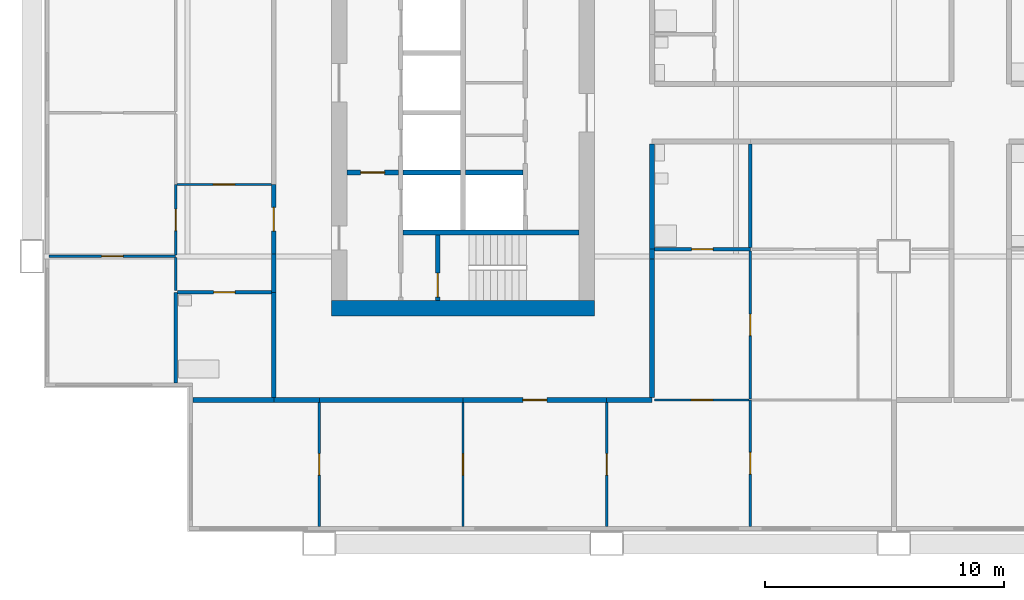
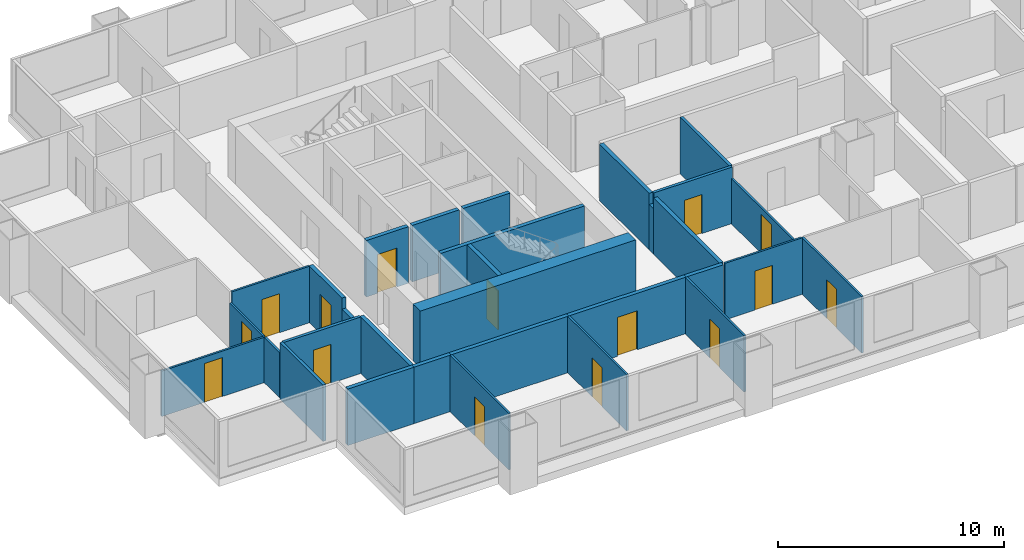
# One storey, part 2 of 11: 31 walls, 15 doors, 15 openings.
"""IFC4 building model written with IfcOpenShell, lengths in metres."""

from ifc_helpers import new_model, si_unit, direction, frame, frame_2d, origin, place, context, subcontext, project, spatial, rectangle, extrude, material, layer, layer_set, type_object, element, fill, save


model = new_model("IFC4")

# Units and contexts
model_context = context("Model", 3, precision=1e-05, world=origin(), true_north=direction((0.0, 1.0)))
body_context = subcontext(model_context, "Body", "Model", "MODEL_VIEW")
ifc_project = project(units=[si_unit("LENGTHUNIT", "METRE"), si_unit("AREAUNIT", "SQUARE_METRE"), si_unit("VOLUMEUNIT", "CUBIC_METRE"), si_unit("PLANEANGLEUNIT", "RADIAN"), si_unit("MASSUNIT", "GRAM", prefix="KILO")], contexts=[model_context])

# Site, building, storey
site_placement = place(None, origin())
site = spatial("IfcSite", under=ifc_project, at=site_placement, CompositionType="ELEMENT")
building_placement = place(site_placement, origin())
building = spatial("IfcBuilding", under=site, at=building_placement, Name="Kitamizu Gate Tower and Museum", CompositionType="ELEMENT")
storey_placement = place(building_placement, frame((0.0, 0.0, 127.64990234375)))
storey = spatial("IfcBuildingStorey", under=building, at=storey_placement, Name="L33", CompositionType="ELEMENT", Elevation=127.64990234375)

# Wall
ifc_material_1 = material(Name="Concrete Fc60", Category="concrete")
ifc_layer_1 = layer(ifc_material_1, 0.64990234375)
ifc_layer_set_1 = layer_set([ifc_layer_1], Name="Concrete Fc60")
wall_type_1 = type_object("IfcWallType", Name="Core wall 650", PredefinedType="SHEAR", material=ifc_layer_set_1)
wall_1_placement = place(storey_placement, frame((12.5, 21.824951171875, 0.0), z_axis=(0.0, 0.0, 1.0), x_axis=(1.0, 0.0, 0.0)))
element("IfcWall", 1, at=wall_1_placement, inside=storey, type_object=wall_type_1, Name="Core wall WS", PredefinedType="SHEAR", context=body_context, shape_type="SweptSolid", body=[
    extrude(rectangle(XDim=11.0, YDim=0.64990234375, at=frame_2d((5.5, 0.0))), origin(), (0.0, 0.0, 1.0), 3.050048828125),
])

# Wall, opening, door
ifc_material_2 = material(Name="Gypsum board on galvanised stud")
ifc_layer_2 = layer(ifc_material_2, 0.10009765625)
ifc_layer_set_2 = layer_set([ifc_layer_2], Name="Gypsum board on galvanised stud")
wall_type_2 = type_object("IfcWallType", Name="Partition 100 NOT RATED", PredefinedType="PARTITIONING", material=ifc_layer_set_2)
wall_2_placement = place(storey_placement, frame((12.0, 12.719970703125, 0.0), z_axis=(0.0, 0.0, 1.0), x_axis=(0.0, 1.0, 0.0)))
wall_2 = element("IfcWall", 2, at=wall_2_placement, inside=storey, type_object=wall_type_2, Name="Partition L33-001", PredefinedType="PARTITIONING", context=body_context, shape_type="SweptSolid", body=[
    extrude(rectangle(XDim=5.179931640625, YDim=0.10009765625, at=frame_2d((2.58984375, 0.0))), origin(), (0.0, 0.0, 1.0), 3.050048828125),
])
opening_1_placement = place(wall_2_placement, frame((2.139892578125, 0.0, 0.0)))
opening_1 = element("IfcOpeningElement", 3, at=opening_1_placement, cuts=wall_2, Name="Opening L33-007", PredefinedType="OPENING", context=body_context, shape_type="SweptSolid", body=[
    extrude(rectangle(XDim=0.89990234375, YDim=2.10009765625, at=frame_2d((0.449951171875, 1.050048828125))), frame((0.0, 0.06005859375, 0.0), z_axis=(0.0, -1.0, 0.0), x_axis=(1.0, 0.0, 0.0)), (0.0, 0.0, 1.0), 0.1201171875),
])
ifc_material_3 = material(Name="Timber door set", Category="wood")
door_type_1 = type_object("IfcDoorType", Name="Room door 900", OperationType="NOTDEFINED", PredefinedType="DOOR", material=ifc_material_3)
door_1_placement = place(opening_1_placement, origin())
door_1 = element("IfcDoor", 4, at=door_1_placement, inside=storey, type_object=door_type_1, Name="Door L33-007", OperationType="SINGLE_SWING_RIGHT", OverallHeight=2.10009765625, OverallWidth=0.89990234375, PredefinedType="DOOR", context=body_context, shape_type="SweptSolid", body=[
    extrude(rectangle(XDim=0.89990234375, YDim=2.10009765625, at=frame_2d((0.449951171875, 1.050048828125))), frame((0.0, 0.02490234375, 0.0), z_axis=(0.0, -1.0, 0.0), x_axis=(1.0, 0.0, 0.0)), (0.0, 0.0, 1.0), 0.050048828125),
])
fill(opening_1, door_1)

wall_3_placement = place(storey_placement, frame((18.0, 12.719970703125, 0.0), z_axis=(0.0, 0.0, 1.0), x_axis=(0.0, 1.0, 0.0)))
wall_3 = element("IfcWall", 5, at=wall_3_placement, inside=storey, type_object=wall_type_2, Name="Partition L33-004", PredefinedType="PARTITIONING", context=body_context, shape_type="SweptSolid", body=[
    extrude(rectangle(XDim=5.179931640625, YDim=0.10009765625, at=frame_2d((2.58984375, 0.0))), origin(), (0.0, 0.0, 1.0), 3.050048828125),
])
opening_2_placement = place(wall_3_placement, frame((2.139892578125, 0.0, 0.0)))
opening_2 = element("IfcOpeningElement", 6, at=opening_2_placement, cuts=wall_3, Name="Opening L33-003", PredefinedType="OPENING", context=body_context, shape_type="SweptSolid", body=[
    extrude(rectangle(XDim=0.89990234375, YDim=2.10009765625, at=frame_2d((0.449951171875, 1.050048828125))), frame((0.0, 0.06005859375, 0.0), z_axis=(0.0, -1.0, 0.0), x_axis=(1.0, 0.0, 0.0)), (0.0, 0.0, 1.0), 0.1201171875),
])
door_2_placement = place(opening_2_placement, origin())
door_2 = element("IfcDoor", 7, at=door_2_placement, inside=storey, type_object=door_type_1, Name="Door L33-003", OperationType="SINGLE_SWING_RIGHT", OverallHeight=2.10009765625, OverallWidth=0.89990234375, PredefinedType="DOOR", context=body_context, shape_type="SweptSolid", body=[
    extrude(rectangle(XDim=0.89990234375, YDim=2.10009765625, at=frame_2d((0.449951171875, 1.050048828125))), frame((0.0, 0.02490234375, 0.0), z_axis=(0.0, -1.0, 0.0), x_axis=(1.0, 0.0, 0.0)), (0.0, 0.0, 1.0), 0.050048828125),
])
fill(opening_2, door_2)

wall_4_placement = place(storey_placement, frame((24.0, 12.719970703125, 0.0), z_axis=(0.0, 0.0, 1.0), x_axis=(0.0, 1.0, 0.0)))
wall_4 = element("IfcWall", 8, at=wall_4_placement, inside=storey, type_object=wall_type_2, Name="Partition L33-006", PredefinedType="PARTITIONING", context=body_context, shape_type="SweptSolid", body=[
    extrude(rectangle(XDim=5.179931640625, YDim=0.10009765625, at=frame_2d((2.58984375, 0.0))), origin(), (0.0, 0.0, 1.0), 3.050048828125),
])
opening_3_placement = place(wall_4_placement, frame((2.139892578125, 0.0, 0.0)))
opening_3 = element("IfcOpeningElement", 9, at=opening_3_placement, cuts=wall_4, Name="Opening L33-002", PredefinedType="OPENING", context=body_context, shape_type="SweptSolid", body=[
    extrude(rectangle(XDim=0.89990234375, YDim=2.10009765625, at=frame_2d((0.449951171875, 1.050048828125))), frame((0.0, 0.06005859375, 0.0), z_axis=(0.0, -1.0, 0.0), x_axis=(1.0, 0.0, 0.0)), (0.0, 0.0, 1.0), 0.1201171875),
])
door_3_placement = place(opening_3_placement, frame((0.89990234375, 0.0, 0.0), x_axis=(-1.0, 0.0, 0.0)))
door_3 = element("IfcDoor", 10, at=door_3_placement, inside=storey, type_object=door_type_1, Name="Door L33-002", OperationType="SINGLE_SWING_RIGHT", OverallHeight=2.10009765625, OverallWidth=0.89990234375, PredefinedType="DOOR", context=body_context, shape_type="SweptSolid", body=[
    extrude(rectangle(XDim=0.89990234375, YDim=2.10009765625, at=frame_2d((0.449951171875, 1.050048828125))), frame((0.0, 0.02490234375, 0.0), z_axis=(0.0, -1.0, 0.0), x_axis=(1.0, 0.0, 0.0)), (0.0, 0.0, 1.0), 0.050048828125),
])
fill(opening_3, door_3)

wall_5_placement = place(storey_placement, frame((30.0, 12.719970703125, 0.0), z_axis=(0.0, 0.0, 1.0), x_axis=(0.0, 1.0, 0.0)))
wall_5 = element("IfcWall", 11, at=wall_5_placement, inside=storey, type_object=wall_type_2, Name="Partition L33-008", PredefinedType="PARTITIONING", context=body_context, shape_type="SweptSolid", body=[
    extrude(rectangle(XDim=5.280029296875, YDim=0.10009765625, at=frame_2d((2.64013671875, 0.0))), origin(), (0.0, 0.0, 1.0), 3.050048828125),
])
opening_4_placement = place(wall_5_placement, frame((2.18994140625, 0.0, 0.0)))
opening_4 = element("IfcOpeningElement", 12, at=opening_4_placement, cuts=wall_5, Name="Opening L33-004", PredefinedType="OPENING", context=body_context, shape_type="SweptSolid", body=[
    extrude(rectangle(XDim=0.89990234375, YDim=2.10009765625, at=frame_2d((0.449951171875, 1.050048828125))), frame((0.0, 0.06005859375, 0.0), z_axis=(0.0, -1.0, 0.0), x_axis=(1.0, 0.0, 0.0)), (0.0, 0.0, 1.0), 0.1201171875),
])
door_4_placement = place(opening_4_placement, origin())
door_4 = element("IfcDoor", 13, at=door_4_placement, inside=storey, type_object=door_type_1, Name="Door L33-004", OperationType="SINGLE_SWING_LEFT", OverallHeight=2.10009765625, OverallWidth=0.89990234375, PredefinedType="DOOR", context=body_context, shape_type="SweptSolid", body=[
    extrude(rectangle(XDim=0.89990234375, YDim=2.10009765625, at=frame_2d((0.449951171875, 1.050048828125))), frame((0.0, 0.02490234375, 0.0), z_axis=(0.0, -1.0, 0.0), x_axis=(1.0, 0.0, 0.0)), (0.0, 0.0, 1.0), 0.050048828125),
])
fill(opening_4, door_4)

wall_6_placement = place(storey_placement, frame((29.949951171875, 18.0, 0.0), z_axis=(0.0, 0.0, 1.0), x_axis=(-1.0, 0.0, 0.0)))
wall_6 = element("IfcWall", 14, at=wall_6_placement, inside=storey, type_object=wall_type_2, Name="Partition L33-009", PredefinedType="PARTITIONING", context=body_context, shape_type="SweptSolid", body=[
    extrude(rectangle(XDim=3.949951171875, YDim=0.10009765625, at=frame_2d((1.97509765625, 0.0))), origin(), (0.0, 0.0, 1.0), 3.050048828125),
])
opening_5_placement = place(wall_6_placement, frame((1.52490234375, 0.0, 0.0)))
opening_5 = element("IfcOpeningElement", 15, at=opening_5_placement, cuts=wall_6, Name="Opening L33-005", PredefinedType="OPENING", context=body_context, shape_type="SweptSolid", body=[
    extrude(rectangle(XDim=0.89990234375, YDim=2.10009765625, at=frame_2d((0.449951171875, 1.050048828125))), frame((0.0, 0.06005859375, 0.0), z_axis=(0.0, -1.0, 0.0), x_axis=(1.0, 0.0, 0.0)), (0.0, 0.0, 1.0), 0.1201171875),
])
door_5_placement = place(opening_5_placement, frame((0.89990234375, 0.0, 0.0), x_axis=(-1.0, 0.0, 0.0)))
door_5 = element("IfcDoor", 16, at=door_5_placement, inside=storey, type_object=door_type_1, Name="Door L33-005", OperationType="SINGLE_SWING_LEFT", OverallHeight=2.10009765625, OverallWidth=0.89990234375, PredefinedType="DOOR", context=body_context, shape_type="SweptSolid", body=[
    extrude(rectangle(XDim=0.89990234375, YDim=2.10009765625, at=frame_2d((0.449951171875, 1.050048828125))), frame((0.0, 0.02490234375, 0.0), z_axis=(0.0, -1.0, 0.0), x_axis=(1.0, 0.0, 0.0)), (0.0, 0.0, 1.0), 0.050048828125),
])
fill(opening_5, door_5)

wall_7_placement = place(storey_placement, frame((30.0, 18.050048828125, 0.0), z_axis=(0.0, 0.0, 1.0), x_axis=(0.0, 1.0, 0.0)))
wall_7 = element("IfcWall", 17, at=wall_7_placement, inside=storey, type_object=wall_type_2, Name="Partition L33-014", PredefinedType="PARTITIONING", context=body_context, shape_type="SweptSolid", body=[
    extrude(rectangle(XDim=6.175048828125, YDim=0.10009765625, at=frame_2d((3.08740234375, 0.0))), origin(), (0.0, 0.0, 1.0), 2.4501953125),
])
opening_6_placement = place(wall_7_placement, frame((2.637451171875, 0.0, 0.0)))
opening_6 = element("IfcOpeningElement", 18, at=opening_6_placement, cuts=wall_7, Name="Opening L33-008", PredefinedType="OPENING", context=body_context, shape_type="SweptSolid", body=[
    extrude(rectangle(XDim=0.89990234375, YDim=2.10009765625, at=frame_2d((0.449951171875, 1.050048828125))), frame((0.0, 0.06005859375, 0.0), z_axis=(0.0, -1.0, 0.0), x_axis=(1.0, 0.0, 0.0)), (0.0, 0.0, 1.0), 0.1201171875),
])
door_6_placement = place(opening_6_placement, origin())
door_6 = element("IfcDoor", 19, at=door_6_placement, inside=storey, type_object=door_type_1, Name="Door L33-008", OperationType="SINGLE_SWING_LEFT", OverallHeight=2.10009765625, OverallWidth=0.89990234375, PredefinedType="DOOR", context=body_context, shape_type="SweptSolid", body=[
    extrude(rectangle(XDim=0.89990234375, YDim=2.10009765625, at=frame_2d((0.449951171875, 1.050048828125))), frame((0.0, 0.02490234375, 0.0), z_axis=(0.0, -1.0, 0.0), x_axis=(1.0, 0.0, 0.0)), (0.0, 0.0, 1.0), 0.050048828125),
])
fill(opening_6, door_6)

wall_8_placement = place(storey_placement, frame((6.0, 24.0, 0.0), z_axis=(0.0, 0.0, 1.0), x_axis=(-1.0, 0.0, 0.0)))
wall_8 = element("IfcWall", 20, at=wall_8_placement, inside=storey, type_object=wall_type_2, Name="Partition L33-085", PredefinedType="PARTITIONING", context=body_context, shape_type="SweptSolid", body=[
    extrude(rectangle(XDim=5.280029296875, YDim=0.10009765625, at=frame_2d((2.64013671875, 0.0))), origin(), (0.0, 0.0, 1.0), 2.4501953125),
])
opening_7_placement = place(wall_8_placement, frame((2.18994140625, 0.0, 0.0)))
opening_7 = element("IfcOpeningElement", 21, at=opening_7_placement, cuts=wall_8, Name="Opening L33-034", PredefinedType="OPENING", context=body_context, shape_type="SweptSolid", body=[
    extrude(rectangle(XDim=0.89990234375, YDim=2.10009765625, at=frame_2d((0.449951171875, 1.050048828125))), frame((0.0, 0.06005859375, 0.0), z_axis=(0.0, -1.0, 0.0), x_axis=(1.0, 0.0, 0.0)), (0.0, 0.0, 1.0), 0.1201171875),
])
door_7_placement = place(opening_7_placement, origin())
door_7 = element("IfcDoor", 22, at=door_7_placement, inside=storey, type_object=door_type_1, Name="Door L33-034", OperationType="SINGLE_SWING_RIGHT", OverallHeight=2.10009765625, OverallWidth=0.89990234375, PredefinedType="DOOR", context=body_context, shape_type="SweptSolid", body=[
    extrude(rectangle(XDim=0.89990234375, YDim=2.10009765625, at=frame_2d((0.449951171875, 1.050048828125))), frame((0.0, 0.02490234375, 0.0), z_axis=(0.0, -1.0, 0.0), x_axis=(1.0, 0.0, 0.0)), (0.0, 0.0, 1.0), 0.050048828125),
])
fill(opening_7, door_7)

# Wall
wall_9_placement = place(storey_placement, frame((6.0, 22.574951171875, 0.0), z_axis=(0.0, 0.0, 1.0), x_axis=(0.0, 1.0, 0.0)))
element("IfcWall", 23, at=wall_9_placement, inside=storey, type_object=wall_type_2, Name="Partition L33-087", PredefinedType="PARTITIONING", context=body_context, shape_type="SweptSolid", body=[
    extrude(rectangle(XDim=1.375, YDim=0.10009765625, at=frame_2d((0.6875, 0.0))), origin(), (0.0, 0.0, 1.0), 2.4501953125),
])

# Wall, opening, door
wall_10_placement = place(storey_placement, frame((6.0, 24.050048828125, 0.0), z_axis=(0.0, 0.0, 1.0), x_axis=(0.0, 1.0, 0.0)))
wall_10 = element("IfcWall", 24, at=wall_10_placement, inside=storey, type_object=wall_type_2, Name="Partition L33-089", PredefinedType="PARTITIONING", context=body_context, shape_type="SweptSolid", body=[
    extrude(rectangle(XDim=2.949951171875, YDim=0.10009765625, at=frame_2d((1.47509765625, 0.0))), origin(), (0.0, 0.0, 1.0), 2.4501953125),
])
opening_8_placement = place(wall_10_placement, frame((1.02490234375, 0.0, 0.0)))
opening_8 = element("IfcOpeningElement", 25, at=opening_8_placement, cuts=wall_10, Name="Opening L33-030", PredefinedType="OPENING", context=body_context, shape_type="SweptSolid", body=[
    extrude(rectangle(XDim=0.89990234375, YDim=2.10009765625, at=frame_2d((0.449951171875, 1.050048828125))), frame((0.0, 0.06005859375, 0.0), z_axis=(0.0, -1.0, 0.0), x_axis=(1.0, 0.0, 0.0)), (0.0, 0.0, 1.0), 0.1201171875),
])
door_8_placement = place(opening_8_placement, origin())
door_8 = element("IfcDoor", 26, at=door_8_placement, inside=storey, type_object=door_type_1, Name="Door L33-030", OperationType="SINGLE_SWING_RIGHT", OverallHeight=2.10009765625, OverallWidth=0.89990234375, PredefinedType="DOOR", context=body_context, shape_type="SweptSolid", body=[
    extrude(rectangle(XDim=0.89990234375, YDim=2.10009765625, at=frame_2d((0.449951171875, 1.050048828125))), frame((0.0, 0.02490234375, 0.0), z_axis=(0.0, -1.0, 0.0), x_axis=(1.0, 0.0, 0.0)), (0.0, 0.0, 1.0), 0.050048828125),
])
fill(opening_8, door_8)

wall_11_placement = place(storey_placement, frame((10.0, 27.0, 0.0), z_axis=(0.0, 0.0, 1.0), x_axis=(-1.0, 0.0, 0.0)))
wall_11 = element("IfcWall", 27, at=wall_11_placement, inside=storey, type_object=wall_type_2, Name="Partition L33-097", PredefinedType="PARTITIONING", context=body_context, shape_type="SweptSolid", body=[
    extrude(rectangle(XDim=3.949951171875, YDim=0.10009765625, at=frame_2d((1.97509765625, 0.0))), origin(), (0.0, 0.0, 1.0), 3.050048828125),
])
opening_9_placement = place(wall_11_placement, frame((1.52490234375, 0.0, 0.0)))
opening_9 = element("IfcOpeningElement", 28, at=opening_9_placement, cuts=wall_11, Name="Opening L33-031", PredefinedType="OPENING", context=body_context, shape_type="SweptSolid", body=[
    extrude(rectangle(XDim=0.89990234375, YDim=2.10009765625, at=frame_2d((0.449951171875, 1.050048828125))), frame((0.0, 0.06005859375, 0.0), z_axis=(0.0, -1.0, 0.0), x_axis=(1.0, 0.0, 0.0)), (0.0, 0.0, 1.0), 0.1201171875),
])
door_9_placement = place(opening_9_placement, origin())
door_9 = element("IfcDoor", 29, at=door_9_placement, inside=storey, type_object=door_type_1, Name="Door L33-031", OperationType="SINGLE_SWING_RIGHT", OverallHeight=2.10009765625, OverallWidth=0.89990234375, PredefinedType="DOOR", context=body_context, shape_type="SweptSolid", body=[
    extrude(rectangle(XDim=0.89990234375, YDim=2.10009765625, at=frame_2d((0.449951171875, 1.050048828125))), frame((0.0, 0.02490234375, 0.0), z_axis=(0.0, -1.0, 0.0), x_axis=(1.0, 0.0, 0.0)), (0.0, 0.0, 1.0), 0.050048828125),
])
fill(opening_9, door_9)

ifc_material_4 = material(Name="Gypsum board on galvanised stud")
ifc_layer_3 = layer(ifc_material_4, 0.14990234375)
ifc_layer_set_3 = layer_set([ifc_layer_3], Name="Gypsum board on galvanised stud")
wall_type_3 = type_object("IfcWallType", Name="Partition 150", PredefinedType="PARTITIONING", material=ifc_layer_set_3)
wall_12_placement = place(storey_placement, frame((30.0, 24.300048828125, 0.0), z_axis=(0.0, 0.0, 1.0), x_axis=(-1.0, 0.0, 0.0)))
wall_12 = element("IfcWall", 30, at=wall_12_placement, inside=storey, type_object=wall_type_3, Name="Partition L33-015", PredefinedType="PARTITIONING", context=body_context, shape_type="SweptSolid", body=[
    extrude(rectangle(XDim=4.0, YDim=0.14990234375, at=frame_2d((2.0, 0.0))), origin(), (0.0, 0.0, 1.0), 3.050048828125),
])
opening_10_placement = place(wall_12_placement, frame((1.550048828125, 0.0, 0.0)))
opening_10 = element("IfcOpeningElement", 31, at=opening_10_placement, cuts=wall_12, Name="Opening L33-006", PredefinedType="OPENING", context=body_context, shape_type="SweptSolid", body=[
    extrude(rectangle(XDim=0.89990234375, YDim=2.10009765625, at=frame_2d((0.449951171875, 1.050048828125))), frame((0.0, 0.0849609375, 0.0), z_axis=(0.0, -1.0, 0.0), x_axis=(1.0, 0.0, 0.0)), (0.0, 0.0, 1.0), 0.169921875),
])
ifc_material_5 = material(Name="Timber door set", Category="wood")
door_type_2 = type_object("IfcDoorType", Name="Bathroom door 900", OperationType="NOTDEFINED", PredefinedType="DOOR", material=ifc_material_5)
door_10_placement = place(opening_10_placement, frame((0.89990234375, 0.0, 0.0), x_axis=(-1.0, 0.0, 0.0)))
door_10 = element("IfcDoor", 32, at=door_10_placement, inside=storey, type_object=door_type_2, Name="Bathroom door L33-006", OperationType="SINGLE_SWING_RIGHT", OverallHeight=2.10009765625, OverallWidth=0.89990234375, PredefinedType="DOOR", context=body_context, shape_type="SweptSolid", body=[
    extrude(rectangle(XDim=0.89990234375, YDim=2.10009765625, at=frame_2d((0.449951171875, 1.050048828125))), frame((0.0, 0.02490234375, 0.0), z_axis=(0.0, -1.0, 0.0), x_axis=(1.0, 0.0, 0.0)), (0.0, 0.0, 1.0), 0.050048828125),
])
fill(opening_10, door_10)

# Walls
wall_13_placement = place(storey_placement, frame((30.0, 24.375, 0.0), z_axis=(0.0, 0.0, 1.0), x_axis=(0.0, 1.0, 0.0)))
element("IfcWall", 33, at=wall_13_placement, inside=storey, type_object=wall_type_3, Name="Partition L33-024", PredefinedType="PARTITIONING", context=body_context, shape_type="SweptSolid", body=[
    extrude(rectangle(XDim=4.324951171875, YDim=0.14990234375, at=frame_2d((2.16259765625, 0.0))), origin(), (0.0, 0.0, 1.0), 3.050048828125),
])
wall_14_placement = place(storey_placement, frame((6.0, 18.719970703125, 0.0), z_axis=(0.0, 0.0, 1.0), x_axis=(0.0, 1.0, 0.0)))
element("IfcWall", 34, at=wall_14_placement, inside=storey, type_object=wall_type_3, Name="Partition L33-086", PredefinedType="PARTITIONING", context=body_context, shape_type="SweptSolid", body=[
    extrude(rectangle(XDim=3.780029296875, YDim=0.14990234375, at=frame_2d((1.89013671875, 0.0))), origin(), (0.0, 0.0, 1.0), 3.050048828125),
])

# Wall, opening, door
wall_15_placement = place(storey_placement, frame((10.0, 22.5, 0.0), z_axis=(0.0, 0.0, 1.0), x_axis=(-1.0, 0.0, 0.0)))
wall_15 = element("IfcWall", 35, at=wall_15_placement, inside=storey, type_object=wall_type_3, Name="Partition L33-095", PredefinedType="PARTITIONING", context=body_context, shape_type="SweptSolid", body=[
    extrude(rectangle(XDim=3.925048828125, YDim=0.14990234375, at=frame_2d((1.96240234375, 0.0))), origin(), (0.0, 0.0, 1.0), 3.050048828125),
])
opening_11_placement = place(wall_15_placement, frame((1.512451171875, 0.0, 0.0)))
opening_11 = element("IfcOpeningElement", 36, at=opening_11_placement, cuts=wall_15, Name="Opening L33-035", PredefinedType="OPENING", context=body_context, shape_type="SweptSolid", body=[
    extrude(rectangle(XDim=0.89990234375, YDim=2.10009765625, at=frame_2d((0.449951171875, 1.050048828125))), frame((0.0, 0.0849609375, 0.0), z_axis=(0.0, -1.0, 0.0), x_axis=(1.0, 0.0, 0.0)), (0.0, 0.0, 1.0), 0.169921875),
])
door_11_placement = place(opening_11_placement, origin())
door_11 = element("IfcDoor", 37, at=door_11_placement, inside=storey, type_object=door_type_2, Name="Bathroom door L33-035", OperationType="SINGLE_SWING_LEFT", OverallHeight=2.10009765625, OverallWidth=0.89990234375, PredefinedType="DOOR", context=body_context, shape_type="SweptSolid", body=[
    extrude(rectangle(XDim=0.89990234375, YDim=2.10009765625, at=frame_2d((0.449951171875, 1.050048828125))), frame((0.0, 0.02490234375, 0.0), z_axis=(0.0, -1.0, 0.0), x_axis=(1.0, 0.0, 0.0)), (0.0, 0.0, 1.0), 0.050048828125),
])
fill(opening_11, door_11)

# Walls
ifc_material_6 = material(Name="Gypsum board on galvanised stud")
ifc_layer_4 = layer(ifc_material_6, 0.199951171875)
ifc_layer_set_4 = layer_set([ifc_layer_4], Name="Gypsum board on galvanised stud")
wall_type_4 = type_object("IfcWallType", Name="Partition 200", PredefinedType="PARTITIONING", material=ifc_layer_set_4)
wall_16_placement = place(storey_placement, frame((10.10009765625, 18.0, 0.0), z_axis=(0.0, 0.0, 1.0), x_axis=(-1.0, 0.0, 0.0)))
element("IfcWall", 38, at=wall_16_placement, inside=storey, type_object=wall_type_4, Name="Partition L33-002", PredefinedType="PARTITIONING", context=body_context, shape_type="SweptSolid", body=[
    extrude(rectangle(XDim=3.380126953125, YDim=0.199951171875, at=frame_2d((1.68994140625, 0.0))), origin(), (0.0, 0.0, 1.0), 3.050048828125),
])
wall_17_placement = place(storey_placement, frame((12.0, 18.0, 0.0), z_axis=(0.0, 0.0, 1.0), x_axis=(-1.0, 0.0, 0.0)))
element("IfcWall", 39, at=wall_17_placement, inside=storey, type_object=wall_type_4, Name="Partition L33-003", PredefinedType="PARTITIONING", context=body_context, shape_type="SweptSolid", body=[
    extrude(rectangle(XDim=1.89990234375, YDim=0.199951171875, at=frame_2d((0.949951171875, 0.0))), origin(), (0.0, 0.0, 1.0), 3.050048828125),
])
wall_18_placement = place(storey_placement, frame((18.0, 18.0, 0.0), z_axis=(0.0, 0.0, 1.0), x_axis=(-1.0, 0.0, 0.0)))
element("IfcWall", 40, at=wall_18_placement, inside=storey, type_object=wall_type_4, Name="Partition L33-005", PredefinedType="PARTITIONING", context=body_context, shape_type="SweptSolid", body=[
    extrude(rectangle(XDim=6.0, YDim=0.199951171875, at=frame_2d((3.0, 0.0))), origin(), (0.0, 0.0, 1.0), 3.050048828125),
])

# Wall, opening, door
wall_19_placement = place(storey_placement, frame((24.0, 18.0, 0.0), z_axis=(0.0, 0.0, 1.0), x_axis=(-1.0, 0.0, 0.0)))
wall_19 = element("IfcWall", 41, at=wall_19_placement, inside=storey, type_object=wall_type_4, Name="Partition L33-007", PredefinedType="PARTITIONING", context=body_context, shape_type="SweptSolid", body=[
    extrude(rectangle(XDim=6.0, YDim=0.199951171875, at=frame_2d((3.0, 0.0))), origin(), (0.0, 0.0, 1.0), 3.050048828125),
])
opening_12_placement = place(wall_19_placement, frame((2.5, 0.0, 0.0)))
opening_12 = element("IfcOpeningElement", 42, at=opening_12_placement, cuts=wall_19, Name="Opening L33-001", PredefinedType="OPENING", context=body_context, shape_type="SweptSolid", body=[
    extrude(rectangle(XDim=1.0, YDim=2.10009765625, at=frame_2d((0.5, 1.050048828125))), frame((0.0, 0.10986328125, 0.0), z_axis=(0.0, -1.0, 0.0), x_axis=(1.0, 0.0, 0.0)), (0.0, 0.0, 1.0), 0.219970703125),
])
ifc_material_7 = material(Name="Timber door set", Category="wood")
door_type_3 = type_object("IfcDoorType", Name="Flat entrance door 1000", OperationType="NOTDEFINED", PredefinedType="DOOR", material=ifc_material_7)
door_12_placement = place(opening_12_placement, origin())
door_12 = element("IfcDoor", 43, at=door_12_placement, inside=storey, type_object=door_type_3, Name="Flat entrance door L33-001", OperationType="SINGLE_SWING_RIGHT", OverallHeight=2.10009765625, OverallWidth=1.0, PredefinedType="DOOR", context=body_context, shape_type="SweptSolid", body=[
    extrude(rectangle(XDim=1.0, YDim=2.10009765625, at=frame_2d((0.5, 1.050048828125))), frame((0.0, 0.02490234375, 0.0), z_axis=(0.0, -1.0, 0.0), x_axis=(1.0, 0.0, 0.0)), (0.0, 0.0, 1.0), 0.050048828125),
])
fill(opening_12, door_12)

# Walls
wall_20_placement = place(storey_placement, frame((25.89990234375, 18.0, 0.0), z_axis=(0.0, 0.0, 1.0), x_axis=(-1.0, 0.0, 0.0)))
element("IfcWall", 44, at=wall_20_placement, inside=storey, type_object=wall_type_4, Name="Partition L33-010", PredefinedType="PARTITIONING", context=body_context, shape_type="SweptSolid", body=[
    extrude(rectangle(XDim=1.89990234375, YDim=0.199951171875, at=frame_2d((0.949951171875, 0.0))), origin(), (0.0, 0.0, 1.0), 3.050048828125),
])
wall_21_placement = place(storey_placement, frame((25.89990234375, 24.300048828125, 0.0), z_axis=(0.0, 0.0, 1.0), x_axis=(0.0, -1.0, 0.0)))
element("IfcWall", 45, at=wall_21_placement, inside=storey, type_object=wall_type_4, Name="Partition L33-016", PredefinedType="PARTITIONING", context=body_context, shape_type="SweptSolid", body=[
    extrude(rectangle(XDim=0.400146484375, YDim=0.199951171875, at=frame_2d((0.2001953125, 0.0))), origin(), (0.0, 0.0, 1.0), 2.4501953125),
])
wall_22_placement = place(storey_placement, frame((25.89990234375, 23.89990234375, 0.0), z_axis=(0.0, 0.0, 1.0), x_axis=(0.0, -1.0, 0.0)))
element("IfcWall", 46, at=wall_22_placement, inside=storey, type_object=wall_type_4, Name="Partition L33-017", PredefinedType="PARTITIONING", context=body_context, shape_type="SweptSolid", body=[
    extrude(rectangle(XDim=5.7998046875, YDim=0.199951171875, at=frame_2d((2.89990234375, 0.0))), origin(), (0.0, 0.0, 1.0), 3.050048828125),
])
for number, where, z_axis, x_axis, name in (
    (47, (25.89990234375, 28.699951171875, 0.0), (0.0, 0.0, 1.0), (0.0, -1.0, 0.0), "Partition L33-026"),
    (48, (10.10009765625, 18.10009765625, 0.0), (0.0, 0.0, 1.0), (0.0, 1.0, 0.0), "Partition L33-096"),
):
    element("IfcWall", number, at=place(storey_placement, frame(where, z_axis=z_axis, x_axis=x_axis)), inside=storey, type_object=wall_type_4, Name=name, PredefinedType="PARTITIONING", context=body_context, shape_type="SweptSolid", body=[
        extrude(rectangle(XDim=4.39990234375, YDim=0.199951171875, at=frame_2d((2.199951171875, 0.0))), origin(), (0.0, 0.0, 1.0), 3.050048828125),
    ])
wall_23_placement = place(storey_placement, frame((10.10009765625, 22.5, 0.0), z_axis=(0.0, 0.0, 1.0), x_axis=(0.0, 1.0, 0.0)))
element("IfcWall", 49, at=wall_23_placement, inside=storey, type_object=wall_type_4, Name="Partition L33-098", PredefinedType="PARTITIONING", context=body_context, shape_type="SweptSolid", body=[
    extrude(rectangle(XDim=1.60009765625, YDim=0.199951171875, at=frame_2d((0.800048828125, 0.0))), origin(), (0.0, 0.0, 1.0), 2.4501953125),
])

# Wall, opening, door
wall_24_placement = place(storey_placement, frame((10.10009765625, 24.10009765625, 0.0), z_axis=(0.0, 0.0, 1.0), x_axis=(0.0, 1.0, 0.0)))
wall_24 = element("IfcWall", 50, at=wall_24_placement, inside=storey, type_object=wall_type_4, Name="Partition L33-099", PredefinedType="PARTITIONING", context=body_context, shape_type="SweptSolid", body=[
    extrude(rectangle(XDim=2.89990234375, YDim=0.199951171875, at=frame_2d((1.449951171875, 0.0))), origin(), (0.0, 0.0, 1.0), 3.050048828125),
])
opening_13_placement = place(wall_24_placement, frame((0.949951171875, 0.0, 0.0)))
opening_13 = element("IfcOpeningElement", 51, at=opening_13_placement, cuts=wall_24, Name="Opening L33-029", PredefinedType="OPENING", context=body_context, shape_type="SweptSolid", body=[
    extrude(rectangle(XDim=1.0, YDim=2.10009765625, at=frame_2d((0.5, 1.050048828125))), frame((0.0, 0.10986328125, 0.0), z_axis=(0.0, -1.0, 0.0), x_axis=(1.0, 0.0, 0.0)), (0.0, 0.0, 1.0), 0.219970703125),
])
door_13_placement = place(opening_13_placement, origin())
door_13 = element("IfcDoor", 52, at=door_13_placement, inside=storey, type_object=door_type_3, Name="Flat entrance door L33-029", OperationType="SINGLE_SWING_LEFT", OverallHeight=2.10009765625, OverallWidth=1.0, PredefinedType="DOOR", context=body_context, shape_type="SweptSolid", body=[
    extrude(rectangle(XDim=1.0, YDim=2.10009765625, at=frame_2d((0.5, 1.050048828125))), frame((0.0, 0.02490234375, 0.0), z_axis=(0.0, -1.0, 0.0), x_axis=(1.0, 0.0, 0.0)), (0.0, 0.0, 1.0), 0.050048828125),
])
fill(opening_13, door_13)

# Wall
ifc_material_8 = material(Name="Concrete Fc42", Category="concrete")
ifc_layer_5 = layer(ifc_material_8, 0.199951171875)
ifc_layer_set_5 = layer_set([ifc_layer_5], Name="Concrete Fc42")
wall_type_5 = type_object("IfcWallType", Name="Shaft wall 200", PredefinedType="SOLIDWALL", material=ifc_layer_set_5)
wall_25_placement = place(storey_placement, frame((15.5, 25.0, 0.0), z_axis=(0.0, 0.0, 1.0), x_axis=(1.0, 0.0, 0.0)))
element("IfcWall", 53, at=wall_25_placement, inside=storey, type_object=wall_type_5, Name="Shaft wall WSB", PredefinedType="SOLIDWALL", context=body_context, shape_type="SweptSolid", body=[
    extrude(rectangle(XDim=7.35009765625, YDim=0.199951171875, at=frame_2d((3.675048828125, 0.0))), origin(), (0.0, 0.0, 1.0), 3.050048828125),
])

# Wall, opening, door
wall_26_placement = place(storey_placement, frame((13.14990234375, 27.5, 0.0), z_axis=(0.0, 0.0, 1.0), x_axis=(1.0, 0.0, 0.0)))
wall_26 = element("IfcWall", 54, at=wall_26_placement, inside=storey, type_object=wall_type_5, Name="Shaft wall WFFN", PredefinedType="SOLIDWALL", context=body_context, shape_type="SweptSolid", body=[
    extrude(rectangle(XDim=2.150146484375, YDim=0.199951171875, at=frame_2d((1.0751953125, 0.0))), origin(), (0.0, 0.0, 1.0), 3.050048828125),
])
opening_14_placement = place(wall_26_placement, frame((0.574951171875, 0.0, 0.0)))
opening_14 = element("IfcOpeningElement", 55, at=opening_14_placement, cuts=wall_26, Name="Opening L33-056", PredefinedType="OPENING", context=body_context, shape_type="SweptSolid", body=[
    extrude(rectangle(XDim=1.0, YDim=2.10009765625, at=frame_2d((0.5, 1.050048828125))), frame((0.0, 0.10986328125, 0.0), z_axis=(0.0, -1.0, 0.0), x_axis=(1.0, 0.0, 0.0)), (0.0, 0.0, 1.0), 0.219970703125),
])
ifc_material_9 = material(Name="Hollow metal door set")
door_type_4 = type_object("IfcDoorType", Name="Fire door 1000", OperationType="NOTDEFINED", PredefinedType="DOOR", material=ifc_material_9)
door_14_placement = place(opening_14_placement, frame((1.0, 0.0, 0.0), x_axis=(-1.0, 0.0, 0.0)))
door_14 = element("IfcDoor", 56, at=door_14_placement, inside=storey, type_object=door_type_4, Name="Fire-fighting lobby door L33-056", OperationType="SINGLE_SWING_LEFT", OverallHeight=2.10009765625, OverallWidth=1.0, PredefinedType="DOOR", context=body_context, shape_type="SweptSolid", body=[
    extrude(rectangle(XDim=1.0, YDim=2.10009765625, at=frame_2d((0.5, 1.050048828125))), frame((0.0, 0.02490234375, 0.0), z_axis=(0.0, -1.0, 0.0), x_axis=(1.0, 0.0, 0.0)), (0.0, 0.0, 1.0), 0.050048828125),
])
fill(opening_14, door_14)

wall_27_placement = place(storey_placement, frame((16.949951171875, 22.14990234375, 0.0), z_axis=(0.0, 0.0, 1.0), x_axis=(0.0, 1.0, 0.0)))
wall_27 = element("IfcWall", 57, at=wall_27_placement, inside=storey, type_object=wall_type_5, Name="Shaft wall WSZ", PredefinedType="SOLIDWALL", context=body_context, shape_type="SweptSolid", body=[
    extrude(rectangle(XDim=2.75, YDim=0.199951171875, at=frame_2d((1.375, 0.0))), origin(), (0.0, 0.0, 1.0), 3.050048828125),
])
opening_15_placement = place(wall_27_placement, frame((0.14990234375, 0.0, 0.0)))
opening_15 = element("IfcOpeningElement", 58, at=opening_15_placement, cuts=wall_27, Name="Opening L33-052", PredefinedType="OPENING", context=body_context, shape_type="SweptSolid", body=[
    extrude(rectangle(XDim=1.0, YDim=2.10009765625, at=frame_2d((0.5, 1.050048828125))), frame((0.0, 0.10986328125, 0.0), z_axis=(0.0, -1.0, 0.0), x_axis=(1.0, 0.0, 0.0)), (0.0, 0.0, 1.0), 0.219970703125),
])
door_15_placement = place(opening_15_placement, frame((1.0, 0.0, 0.0), x_axis=(-1.0, 0.0, 0.0)))
door_15 = element("IfcDoor", 59, at=door_15_placement, inside=storey, type_object=door_type_4, Name="Stair door L33-052", OperationType="SINGLE_SWING_LEFT", OverallHeight=2.10009765625, OverallWidth=1.0, PredefinedType="DOOR", context=body_context, shape_type="SweptSolid", body=[
    extrude(rectangle(XDim=1.0, YDim=2.10009765625, at=frame_2d((0.5, 1.050048828125))), frame((0.0, 0.02490234375, 0.0), z_axis=(0.0, -1.0, 0.0), x_axis=(1.0, 0.0, 0.0)), (0.0, 0.0, 1.0), 0.050048828125),
])
fill(opening_15, door_15)

# Walls
for number, where, z_axis, x_axis, name in (
    (60, (15.5, 27.5, 0.0), (0.0, 0.0, 1.0), (1.0, 0.0, 0.0), "Shaft wall WDVW0"),
    (61, (18.10009765625, 27.5, 0.0), (0.0, 0.0, 1.0), (1.0, 0.0, 0.0), "Shaft wall WDVE0"),
):
    element("IfcWall", number, at=place(storey_placement, frame(where, z_axis=z_axis, x_axis=x_axis)), inside=storey, type_object=wall_type_5, Name=name, PredefinedType="SOLIDWALL", context=body_context, shape_type="SweptSolid", body=[
        extrude(rectangle(XDim=2.39990234375, YDim=0.199951171875, at=frame_2d((1.199951171875, 0.0))), origin(), (0.0, 0.0, 1.0), 3.050048828125),
    ])

save(model, "model.ifc")
